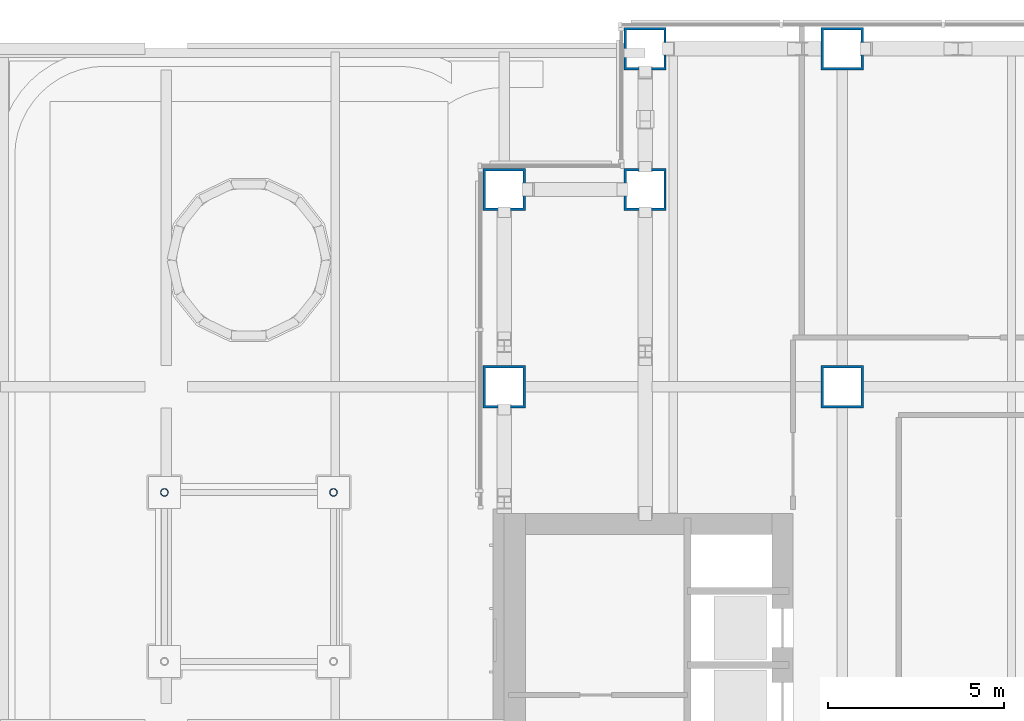
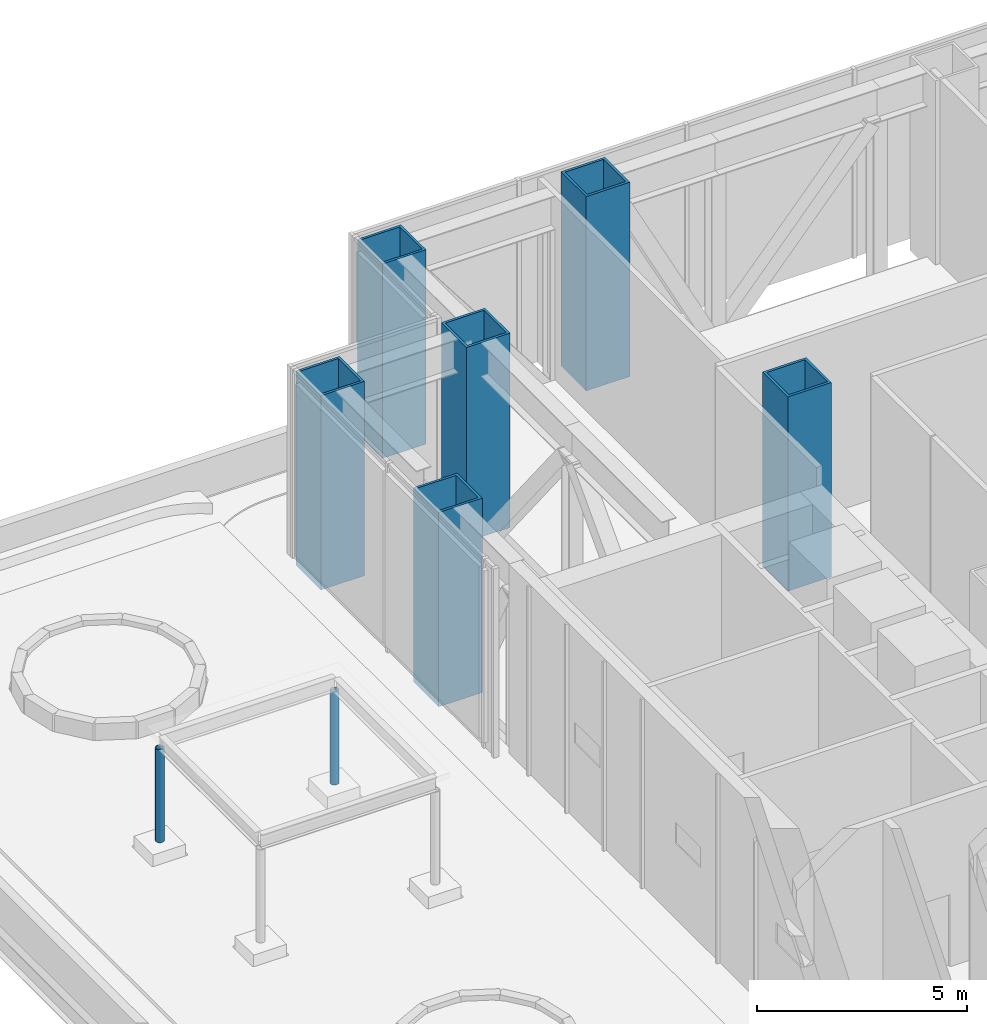
# One storey, part 4 of 39: 8 columns.
"""IFC4 building model written with IfcOpenShell, lengths in metres."""

import ifcopenshell
import ifcopenshell.guid

model = None  # the IFC model being written
_history = None  # IfcOwnerHistory: only IFC2X3 demands one
_inside = {}  # id of a spatial element -> (the spatial element, [elements in it])
_under = {}  # id of a project, library or spatial element -> (it, [spatial elements below it])
_declared = {}  # id of a project -> (the project, [libraries it declares])
_typed = {}  # id of a type object -> (the type object, [elements of that type])
_made_of = {}  # id of a material, layer set ... -> (it, [elements and type objects made of it])


def new_model(schema):
    """Start an empty IFC model of exactly this schema.

    Asked for "IFC4X3", IfcOpenShell would pick the latest addendum, in which some entities
    have other attributes; the version numbers below select the first issue.
    IFC2X3 requires an IfcOwnerHistory on every rooted entity: one is made here for all.
    """
    global model, _history
    if schema == "IFC4X3":
        model = ifcopenshell.file(schema_version=(4, 3, 0, 0))
    else:
        model = ifcopenshell.file(schema=schema)
    _inside.clear()
    _under.clear()
    _declared.clear()
    _typed.clear()
    _made_of.clear()
    _history = None
    if model.schema == "IFC2X3":
        org = make("IfcOrganization", Name="unknown")
        user = make(
            "IfcPersonAndOrganization",
            ThePerson=make("IfcPerson", FamilyName="unknown"),
            TheOrganization=org,
        )
        app = make(
            "IfcApplication",
            ApplicationDeveloper=org,
            Version="unknown",
            ApplicationFullName="unknown",
            ApplicationIdentifier="unknown",
        )
        _history = make(
            "IfcOwnerHistory",
            OwningUser=user,
            OwningApplication=app,
            ChangeAction="ADDED",
            CreationDate=0,
        )
    return model


def make(cls, **values):
    """One entity of the class cls with the attributes given. An attribute that is None is left unset."""
    return model.create_entity(
        cls, **{name: value for name, value in values.items() if value is not None}
    )


def rooted(cls, **values):
    """An entity with a GlobalId (a new one), such as an element, a storey or a relation."""
    return make(cls, GlobalId=ifcopenshell.guid.new(), OwnerHistory=_history, **values)


def si_unit(unit_type, name, prefix=None):
    """IfcSIUnit, for example si_unit("LENGTHUNIT", "METRE", prefix="MILLI")."""
    return make("IfcSIUnit", UnitType=unit_type, Prefix=prefix, Name=name)


def assignment(units):
    """IfcUnitAssignment: the units of a project."""
    return None if units is None else make("IfcUnitAssignment", Units=units)


def point(xyz):
    """IfcCartesianPoint."""
    return None if xyz is None else make("IfcCartesianPoint", Coordinates=xyz)


def direction(xyz):
    """IfcDirection."""
    return None if xyz is None else make("IfcDirection", DirectionRatios=xyz)


def frame(location, z_axis=None, x_axis=None):
    """IfcAxis2Placement3D, a coordinate frame: its origin and axes. An axis left out is left unset."""
    return make(
        "IfcAxis2Placement3D",
        Location=point(location),
        Axis=direction(z_axis),
        RefDirection=direction(x_axis),
    )


def frame_2d(location, x_axis=None):
    """IfcAxis2Placement2D, a coordinate frame in the plane: its origin and x axis."""
    return make(
        "IfcAxis2Placement2D", Location=point(location), RefDirection=direction(x_axis)
    )


def origin():
    """The frame at (0, 0, 0) with its axes left unset."""
    return frame((0.0, 0.0, 0.0))


def origin_2d():
    """The frame at (0, 0) in the plane with its x axis left unset."""
    return frame_2d((0.0, 0.0))


def place(relative_to, where):
    """IfcLocalPlacement: puts the frame where relative to a parent placement (None: the world)."""
    return make(
        "IfcLocalPlacement", PlacementRelTo=relative_to, RelativePlacement=where
    )


def context(
    kind, dimensions, precision=None, world=None, true_north=None, identifier=None
):
    """IfcGeometricRepresentationContext, for example the 3D "Model" context."""
    return make(
        "IfcGeometricRepresentationContext",
        ContextIdentifier=identifier,
        ContextType=kind,
        CoordinateSpaceDimension=dimensions,
        Precision=precision,
        WorldCoordinateSystem=world,
        TrueNorth=true_north,
    )


def subcontext(parent, identifier, kind, view, scale=None):
    """IfcGeometricRepresentationSubContext, for example "Body" below "Model"."""
    return make(
        "IfcGeometricRepresentationSubContext",
        ContextIdentifier=identifier,
        ContextType=kind,
        ParentContext=parent,
        TargetScale=scale,
        TargetView=view,
    )


def project(units=None, contexts=None):
    """IfcProject with its units and contexts."""
    return rooted(
        "IfcProject",
        Name="project",
        RepresentationContexts=contexts,
        UnitsInContext=assignment(units),
    )


def spatial(cls, under=None, at=None, **own):
    """A site, building, storey or space (cls), placed at a placement, below another one or the project."""
    s = rooted(cls, ObjectPlacement=at, **own)
    if under is not None:
        _under.setdefault(under.id(), (under, []))[1].append(s)
    return s


def profile(cls, at=None, kind="AREA", **sizes):
    """A parametric profile (cls). Its sizes go by their IFC names, for example OverallWidth=200.0."""
    return make(cls, ProfileType=kind, Position=at, **sizes)


def hollow_rectangle(**sizes):
    """IfcRectangleHollowProfileDef."""
    return profile("IfcRectangleHollowProfileDef", **sizes)


def hollow_circle(**sizes):
    """IfcCircleHollowProfileDef."""
    return profile("IfcCircleHollowProfileDef", **sizes)


def extrude(swept, where, along, depth):
    """IfcExtrudedAreaSolid: the profile swept, set in the frame where, extruded along a direction by depth."""
    return make(
        "IfcExtrudedAreaSolid",
        SweptArea=swept,
        Position=where,
        ExtrudedDirection=direction(along),
        Depth=depth,
    )


def shape(context_of_items, identifier, shape_type, items):
    """IfcShapeRepresentation: the items that make up one representation, for example the "Body"."""
    return make(
        "IfcShapeRepresentation",
        ContextOfItems=context_of_items,
        RepresentationIdentifier=identifier,
        RepresentationType=shape_type,
        Items=items,
    )


def material(Name=None, Category=None):
    """IfcMaterial."""
    return make("IfcMaterial", Name=Name, Category=Category)


def material_profile(
    of_material, cross_section, Name=None, Category=None, Priority=None
):
    """IfcMaterialProfile: a cross section and its material."""
    return make(
        "IfcMaterialProfile",
        Name=Name,
        Material=of_material,
        Profile=cross_section,
        Priority=Priority,
        Category=Category,
    )


def profile_set(profiles, Name=None, composite=None):
    """IfcMaterialProfileSet."""
    return make(
        "IfcMaterialProfileSet",
        Name=Name,
        MaterialProfiles=profiles,
        CompositeProfile=composite,
    )


def made_of(thing, what):
    """Note that an element or type object is made of a material, layer set ...; save() writes the relation."""
    if what is not None:
        _made_of.setdefault(what.id(), (what, []))[1].append(thing)
    return thing


def type_object(cls, material=None, **own):
    """A type object (cls), such as IfcWallType, which elements share."""
    return made_of(rooted(cls, **own), material)


def element(
    cls,
    number,
    at=None,
    inside=None,
    cuts=None,
    type_object=None,
    material=None,
    context=None,
    identifier="Body",
    shape_type=None,
    held_by="IfcProductDefinitionShape",
    body=None,
    shapes=None,
    **own,
):
    """One element of the class cls, such as IfcWall. Its Tag is "e" and its number.

    at: its placement. inside: the storey or other place that contains it. cuts: it is an
    opening in that element (IfcRelVoidsElement). A single representation is given by context,
    identifier, shape_type and body (its items); several are given by shapes. held_by: the class
    of the entity that holds the representations. save() writes the other relations.
    """
    e = rooted(cls, Tag="e%d" % number, ObjectPlacement=at, **own)
    if body is not None:
        shapes = [shape(context, identifier, shape_type, body)]
    if shapes is not None:
        e.Representation = make(held_by, Representations=shapes)
    if inside is not None:
        _inside.setdefault(inside.id(), (inside, []))[1].append(e)
    if cuts is not None:
        rooted(
            "IfcRelVoidsElement", RelatingBuildingElement=cuts, RelatedOpeningElement=e
        )
    if type_object is not None:
        _typed.setdefault(type_object.id(), (type_object, []))[1].append(e)
    return made_of(e, material)


def aggregate(whole, parts):
    """IfcRelAggregates: a whole, such as a stair, and the parts it consists of."""
    return rooted("IfcRelAggregates", RelatingObject=whole, RelatedObjects=parts)


def save(model, path):
    """Write the relations noted so far, then the file.

    IfcRelAggregates (storeys below a building ...), IfcRelContainedInSpatialStructure (elements
    in a storey), IfcRelDefinesByType, IfcRelAssociatesMaterial and IfcRelDeclares: one each for
    every whole, place, type object, material and project.
    """
    for whole, parts in _under.values():
        aggregate(whole, parts)
    for where, things in _inside.values():
        rooted(
            "IfcRelContainedInSpatialStructure",
            RelatedElements=things,
            RelatingStructure=where,
        )
    for kind, things in _typed.values():
        rooted("IfcRelDefinesByType", RelatedObjects=things, RelatingType=kind)
    for what, things in _made_of.values():
        rooted("IfcRelAssociatesMaterial", RelatedObjects=things, RelatingMaterial=what)
    for by, libraries in _declared.values():
        rooted("IfcRelDeclares", RelatingContext=by, RelatedDefinitions=libraries)
    model.write(path)


model = new_model("IFC4")

# Units and contexts
model_context = context("Model", 3, precision=1e-05, world=origin(), true_north=direction((0.0, 1.0)))
body_context = subcontext(model_context, "Body", "Model", "MODEL_VIEW")
ifc_project = project(units=[si_unit("LENGTHUNIT", "METRE"), si_unit("AREAUNIT", "SQUARE_METRE"), si_unit("VOLUMEUNIT", "CUBIC_METRE"), si_unit("PLANEANGLEUNIT", "RADIAN"), si_unit("MASSUNIT", "GRAM", prefix="KILO")], contexts=[model_context])

# Site, building, storey
site_placement = place(None, origin())
site = spatial("IfcSite", under=ifc_project, at=site_placement, CompositionType="ELEMENT")
building_placement = place(site_placement, origin())
building = spatial("IfcBuilding", under=site, at=building_placement, Name="Cobrizo Arcos Hotel Tower", CompositionType="ELEMENT")
storey_placement = place(building_placement, frame((0.0, 0.0, 33.5)))
storey = spatial("IfcBuildingStorey", under=building, at=storey_placement, Name="L06", CompositionType="ELEMENT", Elevation=33.5)

# Columns
ifc_material_1 = material(Name="Steel ASTM A572 Grade 50", Category="steel")
ifc_material_profile_1 = material_profile(ifc_material_1, hollow_rectangle(XDim=1.199951171875, YDim=1.199951171875, WallThickness=0.070068359375, at=origin_2d()), Name="BOX 1200X1200X70")
ifc_profile_set_1 = profile_set([ifc_material_profile_1], Name="Steel ASTM A572 Grade 50")
column_type_1 = type_object("IfcColumnType", Name="BOX 1200X1200X70 column", PredefinedType="COLUMN", material=ifc_profile_set_1)
for number, where, z_axis, x_axis, name in (
    (1, (-24.0, 14.39990234375, -0.300048828125), (0.0, 0.0, 1.0), (1.0, 0.0, 0.0), "Perimeter column C1, L06, no. 02"),
    (2, (-24.0, 20.0, -0.300048828125), (0.0, 0.0, 1.0), (1.0, 0.0, 0.0), "Perimeter column C1, L06, no. 03"),
    (3, (-20.0, 20.0, -0.300048828125), (0.0, 0.0, 1.0), (1.0, 0.0, 0.0), "Perimeter column C1, L06, no. 06"),
    (4, (-20.0, 24.0, -0.300048828125), (0.0, 0.0, 1.0), (1.0, 0.0, 0.0), "Perimeter column C1, L06, no. 07"),
    (5, (-14.39990234375, 24.0, -0.300048828125), (0.0, 0.0, 1.0), (1.0, 0.0, 0.0), "Perimeter column C1, L06, no. 09"),
):
    element("IfcColumn", number, at=place(storey_placement, frame(where, z_axis=z_axis, x_axis=x_axis)), inside=storey, type_object=column_type_1, Name=name, PredefinedType="COLUMN", context=body_context, shape_type="SweptSolid", body=[
        extrude(hollow_rectangle(XDim=1.199951171875, YDim=1.199951171875, WallThickness=0.070068359375, at=origin_2d()), origin(), (0.0, 0.0, 1.0), 5.650146484375),
    ])
ifc_material_profile_2 = material_profile(ifc_material_1, hollow_rectangle(XDim=1.199951171875, YDim=1.199951171875, WallThickness=0.070068359375, at=origin_2d()), Name="BOX 1200X1200X70")
ifc_profile_set_2 = profile_set([ifc_material_profile_2], Name="Steel ASTM A572 Grade 50")
column_type_2 = type_object("IfcColumnType", Name="BOX 1200X1200X70 interior column", PredefinedType="COLUMN", material=ifc_profile_set_2)
column_placement = place(storey_placement, frame((-14.39990234375, 14.39990234375, -0.300048828125), z_axis=(0.0, 0.0, 1.0), x_axis=(1.0, 0.0, 0.0)))
element("IfcColumn", 6, at=column_placement, inside=storey, type_object=column_type_2, Name="Interior column C2, L06, no. 03", PredefinedType="COLUMN", context=body_context, shape_type="SweptSolid", body=[
    extrude(hollow_rectangle(XDim=1.199951171875, YDim=1.199951171875, WallThickness=0.070068359375, at=origin_2d()), origin(), (0.0, 0.0, 1.0), 5.650146484375),
])
ifc_material_2 = material(Name="Steel ASTM A500 Grade C", Category="steel")
ifc_material_profile_3 = material_profile(ifc_material_2, hollow_circle(Radius=0.109619140625, WallThickness=0.01171875, at=origin_2d()), Name="HSS8.625X0.500")
ifc_profile_set_3 = profile_set([ifc_material_profile_3], Name="Steel ASTM A500 Grade C")
column_type_3 = type_object("IfcColumnType", Name="HSS8.625X0.500 pavilion column", PredefinedType="COLUMN", material=ifc_profile_set_3)
for number, where, z_axis, x_axis, name in (
    (7, (-28.85009765625, 11.39990234375, 0.449951171875), (0.0, 0.0, 1.0), (1.0, 0.0, 0.0), "Pavilion 2 column 3"),
    (8, (-33.64990234375, 11.39990234375, 0.449951171875), (0.0, 0.0, 1.0), (1.0, 0.0, 0.0), "Pavilion 2 column 4"),
):
    element("IfcColumn", number, at=place(storey_placement, frame(where, z_axis=z_axis, x_axis=x_axis)), inside=storey, type_object=column_type_3, Name=name, PredefinedType="COLUMN", context=body_context, shape_type="SweptSolid", body=[
        extrude(hollow_circle(Radius=0.109619140625, WallThickness=0.01171875, at=origin_2d()), origin(), (0.0, 0.0, 1.0), 2.699951171875),
    ])

save(model, "model.ifc")
